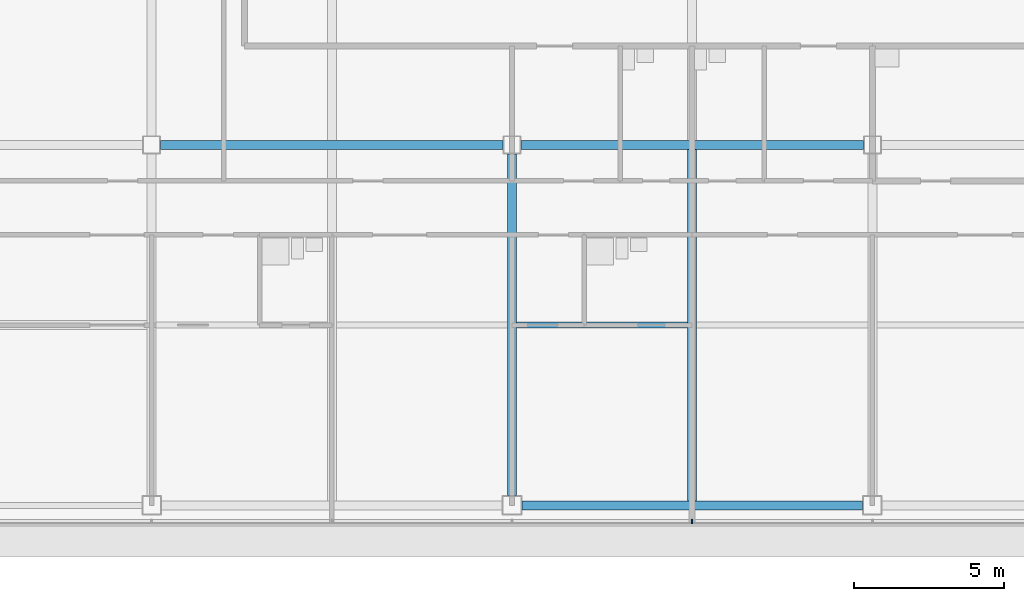
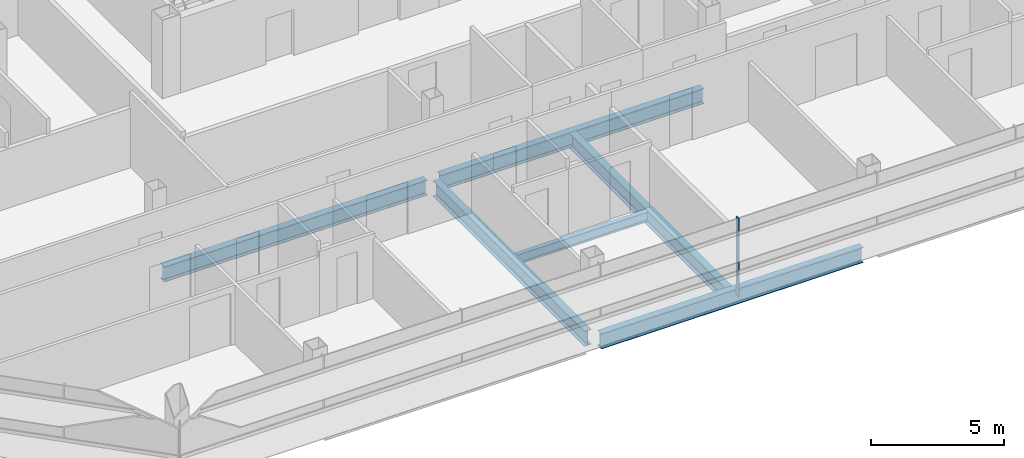
# One storey, part 3 of 27: 6 beams, 1 member, 1 element without a shape of its own.
"""IFC4 building model written with IfcOpenShell, lengths in metres."""

import ifcopenshell
import ifcopenshell.guid

model = None  # the IFC model being written
_history = None  # IfcOwnerHistory: only IFC2X3 demands one
_inside = {}  # id of a spatial element -> (the spatial element, [elements in it])
_under = {}  # id of a project, library or spatial element -> (it, [spatial elements below it])
_declared = {}  # id of a project -> (the project, [libraries it declares])
_typed = {}  # id of a type object -> (the type object, [elements of that type])
_made_of = {}  # id of a material, layer set ... -> (it, [elements and type objects made of it])


def new_model(schema):
    """Start an empty IFC model of exactly this schema.

    Asked for "IFC4X3", IfcOpenShell would pick the latest addendum, in which some entities
    have other attributes; the version numbers below select the first issue.
    IFC2X3 requires an IfcOwnerHistory on every rooted entity: one is made here for all.
    """
    global model, _history
    if schema == "IFC4X3":
        model = ifcopenshell.file(schema_version=(4, 3, 0, 0))
    else:
        model = ifcopenshell.file(schema=schema)
    _inside.clear()
    _under.clear()
    _declared.clear()
    _typed.clear()
    _made_of.clear()
    _history = None
    if model.schema == "IFC2X3":
        org = make("IfcOrganization", Name="unknown")
        user = make(
            "IfcPersonAndOrganization",
            ThePerson=make("IfcPerson", FamilyName="unknown"),
            TheOrganization=org,
        )
        app = make(
            "IfcApplication",
            ApplicationDeveloper=org,
            Version="unknown",
            ApplicationFullName="unknown",
            ApplicationIdentifier="unknown",
        )
        _history = make(
            "IfcOwnerHistory",
            OwningUser=user,
            OwningApplication=app,
            ChangeAction="ADDED",
            CreationDate=0,
        )
    return model


def make(cls, **values):
    """One entity of the class cls with the attributes given. An attribute that is None is left unset."""
    return model.create_entity(
        cls, **{name: value for name, value in values.items() if value is not None}
    )


def rooted(cls, **values):
    """An entity with a GlobalId (a new one), such as an element, a storey or a relation."""
    return make(cls, GlobalId=ifcopenshell.guid.new(), OwnerHistory=_history, **values)


def si_unit(unit_type, name, prefix=None):
    """IfcSIUnit, for example si_unit("LENGTHUNIT", "METRE", prefix="MILLI")."""
    return make("IfcSIUnit", UnitType=unit_type, Prefix=prefix, Name=name)


def assignment(units):
    """IfcUnitAssignment: the units of a project."""
    return None if units is None else make("IfcUnitAssignment", Units=units)


def point(xyz):
    """IfcCartesianPoint."""
    return None if xyz is None else make("IfcCartesianPoint", Coordinates=xyz)


def direction(xyz):
    """IfcDirection."""
    return None if xyz is None else make("IfcDirection", DirectionRatios=xyz)


def frame(location, z_axis=None, x_axis=None):
    """IfcAxis2Placement3D, a coordinate frame: its origin and axes. An axis left out is left unset."""
    return make(
        "IfcAxis2Placement3D",
        Location=point(location),
        Axis=direction(z_axis),
        RefDirection=direction(x_axis),
    )


def frame_2d(location, x_axis=None):
    """IfcAxis2Placement2D, a coordinate frame in the plane: its origin and x axis."""
    return make(
        "IfcAxis2Placement2D", Location=point(location), RefDirection=direction(x_axis)
    )


def origin():
    """The frame at (0, 0, 0) with its axes left unset."""
    return frame((0.0, 0.0, 0.0))


def origin_2d():
    """The frame at (0, 0) in the plane with its x axis left unset."""
    return frame_2d((0.0, 0.0))


def place(relative_to, where):
    """IfcLocalPlacement: puts the frame where relative to a parent placement (None: the world)."""
    return make(
        "IfcLocalPlacement", PlacementRelTo=relative_to, RelativePlacement=where
    )


def context(
    kind, dimensions, precision=None, world=None, true_north=None, identifier=None
):
    """IfcGeometricRepresentationContext, for example the 3D "Model" context."""
    return make(
        "IfcGeometricRepresentationContext",
        ContextIdentifier=identifier,
        ContextType=kind,
        CoordinateSpaceDimension=dimensions,
        Precision=precision,
        WorldCoordinateSystem=world,
        TrueNorth=true_north,
    )


def subcontext(parent, identifier, kind, view, scale=None):
    """IfcGeometricRepresentationSubContext, for example "Body" below "Model"."""
    return make(
        "IfcGeometricRepresentationSubContext",
        ContextIdentifier=identifier,
        ContextType=kind,
        ParentContext=parent,
        TargetScale=scale,
        TargetView=view,
    )


def project(units=None, contexts=None):
    """IfcProject with its units and contexts."""
    return rooted(
        "IfcProject",
        Name="project",
        RepresentationContexts=contexts,
        UnitsInContext=assignment(units),
    )


def spatial(cls, under=None, at=None, **own):
    """A site, building, storey or space (cls), placed at a placement, below another one or the project."""
    s = rooted(cls, ObjectPlacement=at, **own)
    if under is not None:
        _under.setdefault(under.id(), (under, []))[1].append(s)
    return s


def profile(cls, at=None, kind="AREA", **sizes):
    """A parametric profile (cls). Its sizes go by their IFC names, for example OverallWidth=200.0."""
    return make(cls, ProfileType=kind, Position=at, **sizes)


def rectangle(**sizes):
    """IfcRectangleProfileDef."""
    return profile("IfcRectangleProfileDef", **sizes)


def i_section(**sizes):
    """IfcIShapeProfileDef."""
    return profile("IfcIShapeProfileDef", **sizes)


def extrude(swept, where, along, depth):
    """IfcExtrudedAreaSolid: the profile swept, set in the frame where, extruded along a direction by depth."""
    return make(
        "IfcExtrudedAreaSolid",
        SweptArea=swept,
        Position=where,
        ExtrudedDirection=direction(along),
        Depth=depth,
    )


def shape(context_of_items, identifier, shape_type, items):
    """IfcShapeRepresentation: the items that make up one representation, for example the "Body"."""
    return make(
        "IfcShapeRepresentation",
        ContextOfItems=context_of_items,
        RepresentationIdentifier=identifier,
        RepresentationType=shape_type,
        Items=items,
    )


def material(Name=None, Category=None):
    """IfcMaterial."""
    return make("IfcMaterial", Name=Name, Category=Category)


def material_profile(
    of_material, cross_section, Name=None, Category=None, Priority=None
):
    """IfcMaterialProfile: a cross section and its material."""
    return make(
        "IfcMaterialProfile",
        Name=Name,
        Material=of_material,
        Profile=cross_section,
        Priority=Priority,
        Category=Category,
    )


def profile_set(profiles, Name=None, composite=None):
    """IfcMaterialProfileSet."""
    return make(
        "IfcMaterialProfileSet",
        Name=Name,
        MaterialProfiles=profiles,
        CompositeProfile=composite,
    )


def made_of(thing, what):
    """Note that an element or type object is made of a material, layer set ...; save() writes the relation."""
    if what is not None:
        _made_of.setdefault(what.id(), (what, []))[1].append(thing)
    return thing


def type_object(cls, material=None, **own):
    """A type object (cls), such as IfcWallType, which elements share."""
    return made_of(rooted(cls, **own), material)


def element(
    cls,
    number,
    at=None,
    inside=None,
    cuts=None,
    type_object=None,
    material=None,
    context=None,
    identifier="Body",
    shape_type=None,
    held_by="IfcProductDefinitionShape",
    body=None,
    shapes=None,
    **own,
):
    """One element of the class cls, such as IfcWall. Its Tag is "e" and its number.

    at: its placement. inside: the storey or other place that contains it. cuts: it is an
    opening in that element (IfcRelVoidsElement). A single representation is given by context,
    identifier, shape_type and body (its items); several are given by shapes. held_by: the class
    of the entity that holds the representations. save() writes the other relations.
    """
    e = rooted(cls, Tag="e%d" % number, ObjectPlacement=at, **own)
    if body is not None:
        shapes = [shape(context, identifier, shape_type, body)]
    if shapes is not None:
        e.Representation = make(held_by, Representations=shapes)
    if inside is not None:
        _inside.setdefault(inside.id(), (inside, []))[1].append(e)
    if cuts is not None:
        rooted(
            "IfcRelVoidsElement", RelatingBuildingElement=cuts, RelatedOpeningElement=e
        )
    if type_object is not None:
        _typed.setdefault(type_object.id(), (type_object, []))[1].append(e)
    return made_of(e, material)


def aggregate(whole, parts):
    """IfcRelAggregates: a whole, such as a stair, and the parts it consists of."""
    return rooted("IfcRelAggregates", RelatingObject=whole, RelatedObjects=parts)


def save(model, path):
    """Write the relations noted so far, then the file.

    IfcRelAggregates (storeys below a building ...), IfcRelContainedInSpatialStructure (elements
    in a storey), IfcRelDefinesByType, IfcRelAssociatesMaterial and IfcRelDeclares: one each for
    every whole, place, type object, material and project.
    """
    for whole, parts in _under.values():
        aggregate(whole, parts)
    for where, things in _inside.values():
        rooted(
            "IfcRelContainedInSpatialStructure",
            RelatedElements=things,
            RelatingStructure=where,
        )
    for kind, things in _typed.values():
        rooted("IfcRelDefinesByType", RelatedObjects=things, RelatingType=kind)
    for what, things in _made_of.values():
        rooted("IfcRelAssociatesMaterial", RelatedObjects=things, RelatingMaterial=what)
    for by, libraries in _declared.values():
        rooted("IfcRelDeclares", RelatingContext=by, RelatedDefinitions=libraries)
    model.write(path)


model = new_model("IFC4")

# Units and contexts
model_context = context("Model", 3, precision=1e-05, world=origin(), true_north=direction((0.0, 1.0)))
body_context = subcontext(model_context, "Body", "Model", "MODEL_VIEW")
ifc_project = project(units=[si_unit("LENGTHUNIT", "METRE"), si_unit("AREAUNIT", "SQUARE_METRE"), si_unit("VOLUMEUNIT", "CUBIC_METRE"), si_unit("PLANEANGLEUNIT", "RADIAN"), si_unit("MASSUNIT", "GRAM", prefix="KILO")], contexts=[model_context])

# Site, building, storey
site_placement = place(None, origin())
site = spatial("IfcSite", under=ifc_project, at=site_placement, CompositionType="ELEMENT")
building_placement = place(site_placement, origin())
building = spatial("IfcBuilding", under=site, at=building_placement, Name="Sorahane Residences", CompositionType="ELEMENT")
storey_placement = place(building_placement, frame((0.0, 0.0, 202.800048828125)))
storey = spatial("IfcBuildingStorey", under=building, at=storey_placement, Name="L47", CompositionType="ELEMENT", Elevation=202.800048828125)

# Curtain wall, member
ifc_material_1 = material(Name="Dark low-e glass and black anodised aluminium", Category="aluminium")
curtain_wall_type = type_object("IfcCurtainWallType", Name="Curtain wall CW-1 Typical unitised wall", PredefinedType="NOTDEFINED", material=ifc_material_1)
curtain_wall_placement = place(storey_placement, origin())
curtain_wall = element("IfcCurtainWall", 1, at=curtain_wall_placement, inside=storey, type_object=curtain_wall_type, Name="CW-1 curtain wall L47 S1", PredefinedType="NOTDEFINED")
ifc_material_2 = material(Name="Black anodised aluminium", Category="aluminium")
ifc_material_profile_1 = material_profile(ifc_material_2, rectangle(XDim=0.159912109375, YDim=0.050048828125, at=origin_2d()), Name="Curtain wall mullion CW-1 black anodised aluminium 50x160")
ifc_profile_set_1 = profile_set([ifc_material_profile_1], Name="Black anodised aluminium")
member_type = type_object("IfcMemberType", Name="Curtain wall mullion CW-1 black anodised aluminium 50x160", PredefinedType="MULLION", material=ifc_profile_set_1)
member_placement = place(storey_placement, frame((18.0, -0.5400390625, -0.179931640625), z_axis=(0.0, 0.0, 1.0), x_axis=(0.0, -1.0, 0.0)))
member = element("IfcMember", 2, at=member_placement, type_object=member_type, Name="CW-1 mullion L47 S1.5", PredefinedType="MULLION", context=body_context, shape_type="SweptSolid", body=[
    extrude(rectangle(XDim=0.159912109375, YDim=0.050048828125, at=origin_2d()), origin(), (0.0, 0.0, 1.0), 3.599853515625),
])
aggregate(curtain_wall, [member])

# Beams
ifc_material_3 = material(Name="Steel Q355B", Category="steel")
ifc_material_profile_2 = material_profile(ifc_material_3, i_section(OverallWidth=0.199951171875, OverallDepth=0.449951171875, WebThickness=0.009033203125, FlangeThickness=0.013916015625, FilletRadius=0.02001953125, at=origin_2d()), Name="HN 450x200x9x14")
ifc_profile_set_2 = profile_set([ifc_material_profile_2], Name="Steel Q355B")
beam_type_1 = type_object("IfcBeamType", Name="Steel floor beam HN 450x200x9x14 Q355B", PredefinedType="BEAM", material=ifc_profile_set_2)
beam_1_placement = place(storey_placement, frame((12.14990234375, 6.0, -0.405029296875), z_axis=(1.0, 0.0, 0.0), x_axis=(0.0, 1.0, 0.0)))
element("IfcBeam", 3, at=beam_1_placement, inside=storey, type_object=beam_type_1, Name="Beam L47 071", PredefinedType="BEAM", context=body_context, shape_type="SweptSolid", body=[
    extrude(i_section(OverallWidth=0.199951171875, OverallDepth=0.449951171875, WebThickness=0.009033203125, FlangeThickness=0.013916015625, FilletRadius=0.02001953125, at=origin_2d()), origin(), (0.0, 0.0, 1.0), 5.7001953125),
])
ifc_material_4 = material(Name="Steel Q355B", Category="steel")
ifc_material_profile_3 = material_profile(ifc_material_4, i_section(OverallWidth=0.300048828125, OverallDepth=0.699951171875, WebThickness=0.012939453125, FlangeThickness=0.02392578125, FilletRadius=0.028076171875, at=origin_2d()), Name="HN 700x300x13x24")
ifc_profile_set_3 = profile_set([ifc_material_profile_3], Name="Steel Q355B")
beam_type_2 = type_object("IfcBeamType", Name="Steel floor beam HN 700x300x13x24 Q355B", PredefinedType="BEAM", material=ifc_profile_set_3)
beam_2_placement = place(storey_placement, frame((12.324951171875, 0.0, -0.530029296875), z_axis=(1.0, 0.0, 0.0), x_axis=(0.0, 1.0, 0.0)))
element("IfcBeam", 4, at=beam_2_placement, inside=storey, type_object=beam_type_2, Name="Beam L47 002", PredefinedType="BEAM", context=body_context, shape_type="SweptSolid", body=[
    extrude(i_section(OverallWidth=0.300048828125, OverallDepth=0.699951171875, WebThickness=0.012939453125, FlangeThickness=0.02392578125, FilletRadius=0.028076171875, at=origin_2d()), origin(), (0.0, 0.0, 1.0), 11.35009765625),
])
for number, where, z_axis, x_axis, name in (
    (5, (0.300048828125, 12.0, -0.530029296875), (1.0, 0.0, 0.0), (0.0, 1.0, 0.0), "Beam L47 006"),
    (6, (12.300048828125, 12.0, -0.530029296875), (1.0, 0.0, 0.0), (0.0, 1.0, 0.0), "Beam L47 007"),
):
    element("IfcBeam", number, at=place(storey_placement, frame(where, z_axis=z_axis, x_axis=x_axis)), inside=storey, type_object=beam_type_2, Name=name, PredefinedType="BEAM", context=body_context, shape_type="SweptSolid", body=[
        extrude(i_section(OverallWidth=0.300048828125, OverallDepth=0.699951171875, WebThickness=0.012939453125, FlangeThickness=0.02392578125, FilletRadius=0.028076171875, at=origin_2d()), origin(), (0.0, 0.0, 1.0), 11.39990234375),
    ])
beam_3_placement = place(storey_placement, frame((12.0, 0.324951171875, -0.530029296875), z_axis=(0.0, 1.0, 0.0), x_axis=(-1.0, 0.0, 0.0)))
element("IfcBeam", 7, at=beam_3_placement, inside=storey, type_object=beam_type_2, Name="Beam L47 034", PredefinedType="BEAM", context=body_context, shape_type="SweptSolid", body=[
    extrude(i_section(OverallWidth=0.300048828125, OverallDepth=0.699951171875, WebThickness=0.012939453125, FlangeThickness=0.02392578125, FilletRadius=0.028076171875, at=origin_2d()), origin(), (0.0, 0.0, 1.0), 11.375),
])
beam_4_placement = place(storey_placement, frame((18.0, 0.14990234375, -0.530029296875), z_axis=(0.0, 1.0, 0.0), x_axis=(-1.0, 0.0, 0.0)))
element("IfcBeam", 8, at=beam_4_placement, inside=storey, type_object=beam_type_2, Name="Beam L47 036", PredefinedType="BEAM", context=body_context, shape_type="SweptSolid", body=[
    extrude(i_section(OverallWidth=0.300048828125, OverallDepth=0.699951171875, WebThickness=0.012939453125, FlangeThickness=0.02392578125, FilletRadius=0.028076171875, at=origin_2d()), origin(), (0.0, 0.0, 1.0), 11.7001953125),
])

save(model, "model.ifc")
